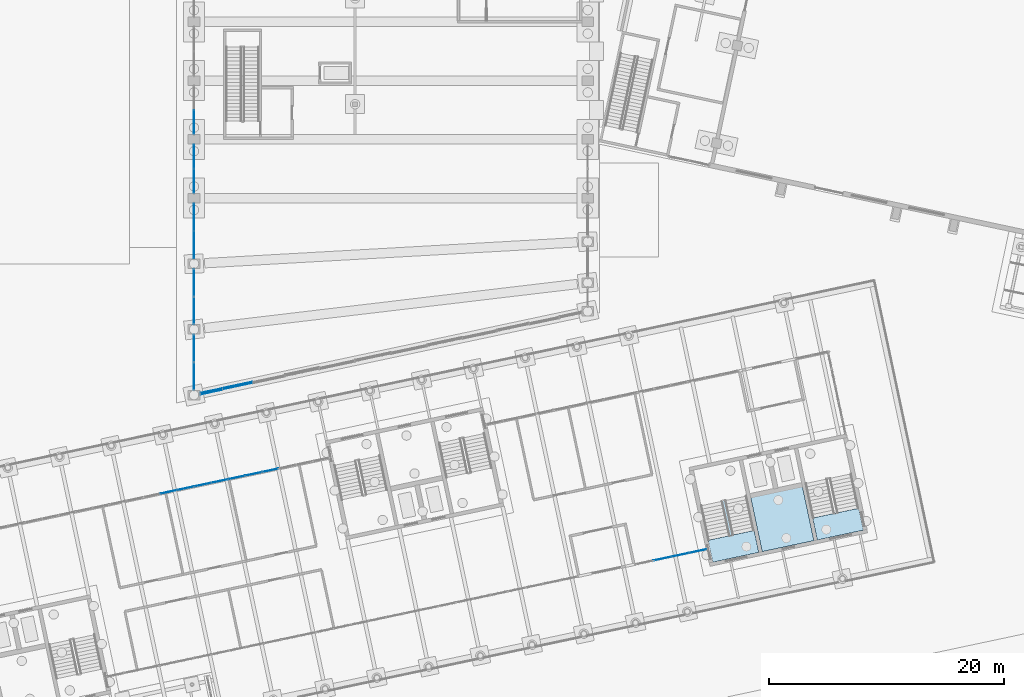
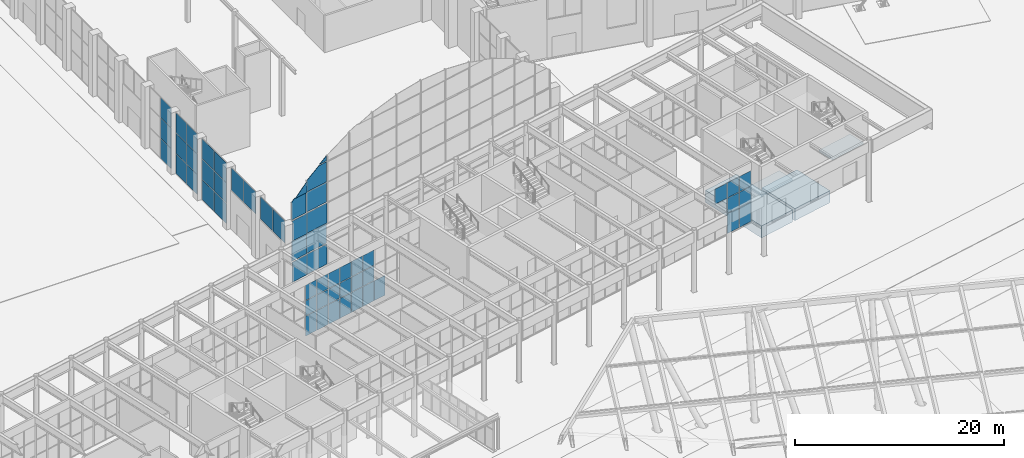
# One storey, part 151 of 239: 56 plates, 4 slabs, 10 elements without a shape of their own.
"""IFC4 building model written with IfcOpenShell, lengths in metres."""

from ifc_helpers import new_model, si_unit, direction, frame, origin, origin_2d, place, context, subcontext, project, spatial, polyline, rectangle, outline, extrude, material, layer, layer_set, type_object, element, aggregate, save


model = new_model("IFC4")

# Units and contexts
model_context = context("Model", 3, precision=1e-05, world=origin(), true_north=direction((0.0, 1.0)))
body_context = subcontext(model_context, "Body", "Model", "MODEL_VIEW")
ifc_project = project(units=[si_unit("LENGTHUNIT", "METRE"), si_unit("AREAUNIT", "SQUARE_METRE"), si_unit("VOLUMEUNIT", "CUBIC_METRE"), si_unit("PLANEANGLEUNIT", "RADIAN"), si_unit("MASSUNIT", "GRAM", prefix="KILO")], contexts=[model_context])

# Site, building, storey
site_placement = place(None, origin())
site = spatial("IfcSite", under=ifc_project, at=site_placement, CompositionType="ELEMENT")
building_placement = place(site_placement, origin())
building = spatial("IfcBuilding", under=site, at=building_placement, Name="Okhra Congress Centre", CompositionType="ELEMENT")
storey_placement = place(building_placement, origin())
storey = spatial("IfcBuildingStorey", under=building, at=storey_placement, Name="L00", CompositionType="ELEMENT", Elevation=0.0)

# Curtain wall, plates
ifc_material_1 = material(Name="Aluminium curtain wall, triple glazing", Category="aluminium")
curtain_wall_type_1 = type_object("IfcCurtainWallType", Name="Curtain wall 2100 module", PredefinedType="NOTDEFINED", material=ifc_material_1)
curtain_wall_1_placement = place(storey_placement, origin())
curtain_wall_1 = element("IfcCurtainWall", 1, at=curtain_wall_1_placement, inside=storey, type_object=curtain_wall_type_1, Name="West bay 1 glazing above the doors", PredefinedType="NOTDEFINED")
ifc_material_2 = material(Name="Triple glazing unit, low-e coating, argon fill", Category="glass")
ifc_layer_1 = layer(ifc_material_2, 0.028076171875)
ifc_layer_set_1 = layer_set([ifc_layer_1], Name="Curtain wall glazing unit 28")
plate_type_1 = type_object("IfcPlateType", Name="Curtain wall glazing unit 28", PredefinedType="CURTAIN_PANEL", material=ifc_layer_set_1)
plate_1_placement = place(storey_placement, frame((155.5, 75.858154296875, 4.56005859375), z_axis=(0.0, 0.0, 1.0), x_axis=(0.0, 1.0, 0.0)))
plate_1 = element("IfcPlate", 2, at=plate_1_placement, type_object=plate_type_1, Name="CW4 panel 1.1", PredefinedType="CURTAIN_PANEL", context=body_context, shape_type="SweptSolid", body=[
    extrude(rectangle(XDim=2.30224609375, YDim=0.028076171875, at=origin_2d()), origin(), (0.0, 0.0, 1.0), 2.580078125),
])
plate_2_placement = place(storey_placement, frame((155.5, 78.22021484375, 4.56005859375), z_axis=(0.0, 0.0, 1.0), x_axis=(0.0, 1.0, 0.0)))
plate_2 = element("IfcPlate", 3, at=plate_2_placement, type_object=plate_type_1, Name="CW4 panel 2.1", PredefinedType="CURTAIN_PANEL", context=body_context, shape_type="SweptSolid", body=[
    extrude(rectangle(XDim=2.30224609375, YDim=0.028076171875, at=origin_2d()), origin(), (0.0, 0.0, 1.0), 2.580078125),
])
aggregate(curtain_wall_1, [plate_1, plate_2])

curtain_wall_2_placement = place(storey_placement, origin())
curtain_wall_2 = element("IfcCurtainWall", 4, at=curtain_wall_2_placement, inside=storey, type_object=curtain_wall_type_1, Name="West bay 2 glazing above the doors", PredefinedType="NOTDEFINED")
plate_3_placement = place(storey_placement, frame((155.5, 81.4423828125, 4.56005859375), z_axis=(0.0, 0.0, 1.0), x_axis=(0.0, 1.0, 0.0)))
plate_3 = element("IfcPlate", 5, at=plate_3_placement, type_object=plate_type_1, Name="CW4 panel 1.1", PredefinedType="CURTAIN_PANEL", context=body_context, shape_type="SweptSolid", body=[
    extrude(rectangle(XDim=2.30224609375, YDim=0.028076171875, at=origin_2d()), origin(), (0.0, 0.0, 1.0), 2.580078125),
])
plate_4_placement = place(storey_placement, frame((155.5, 83.8046875, 4.56005859375), z_axis=(0.0, 0.0, 1.0), x_axis=(0.0, 1.0, 0.0)))
plate_4 = element("IfcPlate", 6, at=plate_4_placement, type_object=plate_type_1, Name="CW4 panel 2.1", PredefinedType="CURTAIN_PANEL", context=body_context, shape_type="SweptSolid", body=[
    extrude(rectangle(XDim=2.30224609375, YDim=0.028076171875, at=origin_2d()), origin(), (0.0, 0.0, 1.0), 2.580078125),
])
aggregate(curtain_wall_2, [plate_3, plate_4])

curtain_wall_3_placement = place(storey_placement, origin())
curtain_wall_3 = element("IfcCurtainWall", 7, at=curtain_wall_3_placement, inside=storey, type_object=curtain_wall_type_1, Name="West bay 3 glazing", PredefinedType="NOTDEFINED")
plate_5_placement = place(storey_placement, frame((155.5, 87.02685546875, 0.06005859375), z_axis=(0.0, 0.0, 1.0), x_axis=(0.0, 1.0, 0.0)))
plate_5 = element("IfcPlate", 8, at=plate_5_placement, type_object=plate_type_1, Name="CW4 panel 1.1", PredefinedType="CURTAIN_PANEL", context=body_context, shape_type="SweptSolid", body=[
    extrude(rectangle(XDim=2.30224609375, YDim=0.028076171875, at=origin_2d()), origin(), (0.0, 0.0, 1.0), 2.31005859375),
])
plate_6_placement = place(storey_placement, frame((155.5, 87.02685546875, 2.43017578125), z_axis=(0.0, 0.0, 1.0), x_axis=(0.0, 1.0, 0.0)))
plate_6 = element("IfcPlate", 9, at=plate_6_placement, type_object=plate_type_1, Name="CW4 panel 1.2", PredefinedType="CURTAIN_PANEL", context=body_context, shape_type="SweptSolid", body=[
    extrude(rectangle(XDim=2.30224609375, YDim=0.028076171875, at=origin_2d()), origin(), (0.0, 0.0, 1.0), 2.340087890625),
])
plate_7_placement = place(storey_placement, frame((155.5, 87.02685546875, 4.830078125), z_axis=(0.0, 0.0, 1.0), x_axis=(0.0, 1.0, 0.0)))
plate_7 = element("IfcPlate", 10, at=plate_7_placement, type_object=plate_type_1, Name="CW4 panel 1.3", PredefinedType="CURTAIN_PANEL", context=body_context, shape_type="SweptSolid", body=[
    extrude(rectangle(XDim=2.30224609375, YDim=0.028076171875, at=origin_2d()), origin(), (0.0, 0.0, 1.0), 2.31005859375),
])
plate_8_placement = place(storey_placement, frame((155.5, 89.388916015625, 0.06005859375), z_axis=(0.0, 0.0, 1.0), x_axis=(0.0, 1.0, 0.0)))
plate_8 = element("IfcPlate", 11, at=plate_8_placement, type_object=plate_type_1, Name="CW4 panel 2.1", PredefinedType="CURTAIN_PANEL", context=body_context, shape_type="SweptSolid", body=[
    extrude(rectangle(XDim=2.30224609375, YDim=0.028076171875, at=origin_2d()), origin(), (0.0, 0.0, 1.0), 2.31005859375),
])
plate_9_placement = place(storey_placement, frame((155.5, 89.388916015625, 2.43017578125), z_axis=(0.0, 0.0, 1.0), x_axis=(0.0, 1.0, 0.0)))
plate_9 = element("IfcPlate", 12, at=plate_9_placement, type_object=plate_type_1, Name="CW4 panel 2.2", PredefinedType="CURTAIN_PANEL", context=body_context, shape_type="SweptSolid", body=[
    extrude(rectangle(XDim=2.30224609375, YDim=0.028076171875, at=origin_2d()), origin(), (0.0, 0.0, 1.0), 2.340087890625),
])
plate_10_placement = place(storey_placement, frame((155.5, 89.388916015625, 4.830078125), z_axis=(0.0, 0.0, 1.0), x_axis=(0.0, 1.0, 0.0)))
plate_10 = element("IfcPlate", 13, at=plate_10_placement, type_object=plate_type_1, Name="CW4 panel 2.3", PredefinedType="CURTAIN_PANEL", context=body_context, shape_type="SweptSolid", body=[
    extrude(rectangle(XDim=2.30224609375, YDim=0.028076171875, at=origin_2d()), origin(), (0.0, 0.0, 1.0), 2.31005859375),
])
aggregate(curtain_wall_3, [plate_5, plate_6, plate_7, plate_8, plate_9, plate_10])

curtain_wall_4_placement = place(storey_placement, origin())
curtain_wall_4 = element("IfcCurtainWall", 14, at=curtain_wall_4_placement, inside=storey, type_object=curtain_wall_type_1, Name="West bay 4 glazing", PredefinedType="NOTDEFINED")
plate_11_placement = place(storey_placement, frame((155.5, 92.465087890625, 0.06005859375), z_axis=(0.0, 0.0, 1.0), x_axis=(0.0, 1.0, 0.0)))
plate_11 = element("IfcPlate", 15, at=plate_11_placement, type_object=plate_type_1, Name="CW4 panel 1.1", PredefinedType="CURTAIN_PANEL", context=body_context, shape_type="SweptSolid", body=[
    extrude(rectangle(XDim=2.010009765625, YDim=0.028076171875, at=origin_2d()), origin(), (0.0, 0.0, 1.0), 2.31005859375),
])
plate_12_placement = place(storey_placement, frame((155.5, 92.465087890625, 2.43017578125), z_axis=(0.0, 0.0, 1.0), x_axis=(0.0, 1.0, 0.0)))
plate_12 = element("IfcPlate", 16, at=plate_12_placement, type_object=plate_type_1, Name="CW4 panel 1.2", PredefinedType="CURTAIN_PANEL", context=body_context, shape_type="SweptSolid", body=[
    extrude(rectangle(XDim=2.010009765625, YDim=0.028076171875, at=origin_2d()), origin(), (0.0, 0.0, 1.0), 2.340087890625),
])
plate_13_placement = place(storey_placement, frame((155.5, 92.465087890625, 4.830078125), z_axis=(0.0, 0.0, 1.0), x_axis=(0.0, 1.0, 0.0)))
plate_13 = element("IfcPlate", 17, at=plate_13_placement, type_object=plate_type_1, Name="CW4 panel 1.3", PredefinedType="CURTAIN_PANEL", context=body_context, shape_type="SweptSolid", body=[
    extrude(rectangle(XDim=2.010009765625, YDim=0.028076171875, at=origin_2d()), origin(), (0.0, 0.0, 1.0), 2.31005859375),
])
plate_14_placement = place(storey_placement, frame((155.5, 94.534912109375, 0.06005859375), z_axis=(0.0, 0.0, 1.0), x_axis=(0.0, 1.0, 0.0)))
plate_14 = element("IfcPlate", 18, at=plate_14_placement, type_object=plate_type_1, Name="CW4 panel 2.1", PredefinedType="CURTAIN_PANEL", context=body_context, shape_type="SweptSolid", body=[
    extrude(rectangle(XDim=2.010009765625, YDim=0.028076171875, at=origin_2d()), origin(), (0.0, 0.0, 1.0), 2.31005859375),
])
plate_15_placement = place(storey_placement, frame((155.5, 94.534912109375, 2.43017578125), z_axis=(0.0, 0.0, 1.0), x_axis=(0.0, 1.0, 0.0)))
plate_15 = element("IfcPlate", 19, at=plate_15_placement, type_object=plate_type_1, Name="CW4 panel 2.2", PredefinedType="CURTAIN_PANEL", context=body_context, shape_type="SweptSolid", body=[
    extrude(rectangle(XDim=2.010009765625, YDim=0.028076171875, at=origin_2d()), origin(), (0.0, 0.0, 1.0), 2.340087890625),
])
plate_16_placement = place(storey_placement, frame((155.5, 94.534912109375, 4.830078125), z_axis=(0.0, 0.0, 1.0), x_axis=(0.0, 1.0, 0.0)))
plate_16 = element("IfcPlate", 20, at=plate_16_placement, type_object=plate_type_1, Name="CW4 panel 2.3", PredefinedType="CURTAIN_PANEL", context=body_context, shape_type="SweptSolid", body=[
    extrude(rectangle(XDim=2.010009765625, YDim=0.028076171875, at=origin_2d()), origin(), (0.0, 0.0, 1.0), 2.31005859375),
])
aggregate(curtain_wall_4, [plate_11, plate_12, plate_13, plate_14, plate_15, plate_16])

curtain_wall_5_placement = place(storey_placement, origin())
curtain_wall_5 = element("IfcCurtainWall", 21, at=curtain_wall_5_placement, inside=storey, type_object=curtain_wall_type_1, Name="West bay 5 glazing", PredefinedType="NOTDEFINED")
plate_17_placement = place(storey_placement, frame((155.5, 97.465087890625, 0.06005859375), z_axis=(0.0, 0.0, 1.0), x_axis=(0.0, 1.0, 0.0)))
plate_17 = element("IfcPlate", 22, at=plate_17_placement, type_object=plate_type_1, Name="CW4 panel 1.1", PredefinedType="CURTAIN_PANEL", context=body_context, shape_type="SweptSolid", body=[
    extrude(rectangle(XDim=2.010009765625, YDim=0.028076171875, at=origin_2d()), origin(), (0.0, 0.0, 1.0), 2.31005859375),
])
plate_18_placement = place(storey_placement, frame((155.5, 97.465087890625, 2.43017578125), z_axis=(0.0, 0.0, 1.0), x_axis=(0.0, 1.0, 0.0)))
plate_18 = element("IfcPlate", 23, at=plate_18_placement, type_object=plate_type_1, Name="CW4 panel 1.2", PredefinedType="CURTAIN_PANEL", context=body_context, shape_type="SweptSolid", body=[
    extrude(rectangle(XDim=2.010009765625, YDim=0.028076171875, at=origin_2d()), origin(), (0.0, 0.0, 1.0), 2.340087890625),
])
plate_19_placement = place(storey_placement, frame((155.5, 97.465087890625, 4.830078125), z_axis=(0.0, 0.0, 1.0), x_axis=(0.0, 1.0, 0.0)))
plate_19 = element("IfcPlate", 24, at=plate_19_placement, type_object=plate_type_1, Name="CW4 panel 1.3", PredefinedType="CURTAIN_PANEL", context=body_context, shape_type="SweptSolid", body=[
    extrude(rectangle(XDim=2.010009765625, YDim=0.028076171875, at=origin_2d()), origin(), (0.0, 0.0, 1.0), 2.31005859375),
])
aggregate(curtain_wall_5, [plate_17, plate_18, plate_19])

curtain_wall_type_2 = type_object("IfcCurtainWallType", Name="Curtain wall 1500 module", PredefinedType="NOTDEFINED", material=ifc_material_1)
curtain_wall_6_placement = place(storey_placement, origin())
curtain_wall_6 = element("IfcCurtainWall", 25, at=curtain_wall_6_placement, inside=storey, type_object=curtain_wall_type_2, Name="Ground curtain wall S5", PredefinedType="NOTDEFINED")
plate_20_placement = place(storey_placement, frame((195.325927734375, 60.322265625, 4.22998046875), z_axis=(0.0, 0.0, 1.0), x_axis=(0.978147600734, 0.207911690818, 0.0)))
plate_20 = element("IfcPlate", 26, at=plate_20_placement, type_object=plate_type_1, Name="CW7 panel 2.3", PredefinedType="CURTAIN_PANEL", context=body_context, shape_type="SweptSolid", body=[
    extrude(rectangle(XDim=1.5048828125, YDim=0.028076171875, at=origin_2d()), origin(), (0.0, 0.0, 1.0), 1.760009765625),
])
plate_21_placement = place(storey_placement, frame((196.856689453125, 60.647705078125, 0.06005859375), z_axis=(0.0, 0.0, 1.0), x_axis=(0.978147600734, 0.207911690818, 0.0)))
plate_21 = element("IfcPlate", 27, at=plate_21_placement, type_object=plate_type_1, Name="CW7 panel 3.1", PredefinedType="CURTAIN_PANEL", context=body_context, shape_type="SweptSolid", body=[
    extrude(rectangle(XDim=1.5048828125, YDim=0.028076171875, at=origin_2d()), origin(), (0.0, 0.0, 1.0), 2.31005859375),
])
plate_22_placement = place(storey_placement, frame((196.856689453125, 60.647705078125, 2.43017578125), z_axis=(0.0, 0.0, 1.0), x_axis=(0.978147600734, 0.207911690818, 0.0)))
plate_22 = element("IfcPlate", 28, at=plate_22_placement, type_object=plate_type_1, Name="CW7 panel 3.2", PredefinedType="CURTAIN_PANEL", context=body_context, shape_type="SweptSolid", body=[
    extrude(rectangle(XDim=1.5048828125, YDim=0.028076171875, at=origin_2d()), origin(), (0.0, 0.0, 1.0), 1.739990234375),
])
plate_23_placement = place(storey_placement, frame((196.856689453125, 60.647705078125, 4.22998046875), z_axis=(0.0, 0.0, 1.0), x_axis=(0.978147600734, 0.207911690818, 0.0)))
plate_23 = element("IfcPlate", 29, at=plate_23_placement, type_object=plate_type_1, Name="CW7 panel 3.3", PredefinedType="CURTAIN_PANEL", context=body_context, shape_type="SweptSolid", body=[
    extrude(rectangle(XDim=1.5048828125, YDim=0.028076171875, at=origin_2d()), origin(), (0.0, 0.0, 1.0), 1.760009765625),
])
plate_24_placement = place(storey_placement, frame((198.372802734375, 60.969970703125, 0.06005859375), z_axis=(0.0, 0.0, 1.0), x_axis=(0.978147600734, 0.207911690818, 0.0)))
plate_24 = element("IfcPlate", 30, at=plate_24_placement, type_object=plate_type_1, Name="CW7 panel 4.1", PredefinedType="CURTAIN_PANEL", context=body_context, shape_type="SweptSolid", body=[
    extrude(rectangle(XDim=1.47509765625, YDim=0.028076171875, at=origin_2d()), origin(), (0.0, 0.0, 1.0), 2.31005859375),
])
plate_25_placement = place(storey_placement, frame((198.372802734375, 60.969970703125, 2.43017578125), z_axis=(0.0, 0.0, 1.0), x_axis=(0.978147600734, 0.207911690818, 0.0)))
plate_25 = element("IfcPlate", 31, at=plate_25_placement, type_object=plate_type_1, Name="CW7 panel 4.2", PredefinedType="CURTAIN_PANEL", context=body_context, shape_type="SweptSolid", body=[
    extrude(rectangle(XDim=1.47509765625, YDim=0.028076171875, at=origin_2d()), origin(), (0.0, 0.0, 1.0), 1.739990234375),
])
plate_26_placement = place(storey_placement, frame((198.372802734375, 60.969970703125, 4.22998046875), z_axis=(0.0, 0.0, 1.0), x_axis=(0.978147600734, 0.207911690818, 0.0)))
plate_26 = element("IfcPlate", 32, at=plate_26_placement, type_object=plate_type_1, Name="CW7 panel 4.3", PredefinedType="CURTAIN_PANEL", context=body_context, shape_type="SweptSolid", body=[
    extrude(rectangle(XDim=1.47509765625, YDim=0.028076171875, at=origin_2d()), origin(), (0.0, 0.0, 1.0), 1.760009765625),
])
aggregate(curtain_wall_6, [plate_20, plate_21, plate_22, plate_23, plate_24, plate_25, plate_26])

curtain_wall_7_placement = place(storey_placement, origin())
curtain_wall_7 = element("IfcCurtainWall", 33, at=curtain_wall_7_placement, inside=storey, type_object=curtain_wall_type_2, Name="Ground curtain wall N9", PredefinedType="NOTDEFINED")
plate_27_placement = place(storey_placement, frame((153.34521484375, 66.00830078125, 0.06005859375), z_axis=(0.0, 0.0, 1.0), x_axis=(0.978147600734, 0.207911690818, 0.0)))
plate_27 = element("IfcPlate", 34, at=plate_27_placement, type_object=plate_type_1, Name="CW7 panel 11.1", PredefinedType="CURTAIN_PANEL", context=body_context, shape_type="SweptSolid", body=[
    extrude(rectangle(XDim=1.4130859375, YDim=0.028076171875, at=origin_2d()), origin(), (0.0, 0.0, 1.0), 2.31005859375),
])
plate_28_placement = place(storey_placement, frame((153.34521484375, 66.00830078125, 2.43017578125), z_axis=(0.0, 0.0, 1.0), x_axis=(0.978147600734, 0.207911690818, 0.0)))
plate_28 = element("IfcPlate", 35, at=plate_28_placement, type_object=plate_type_1, Name="CW7 panel 11.2", PredefinedType="CURTAIN_PANEL", context=body_context, shape_type="SweptSolid", body=[
    extrude(rectangle(XDim=1.4130859375, YDim=0.028076171875, at=origin_2d()), origin(), (0.0, 0.0, 1.0), 1.739990234375),
])
plate_29_placement = place(storey_placement, frame((153.34521484375, 66.00830078125, 4.22998046875), z_axis=(0.0, 0.0, 1.0), x_axis=(0.978147600734, 0.207911690818, 0.0)))
plate_29 = element("IfcPlate", 36, at=plate_29_placement, type_object=plate_type_1, Name="CW7 panel 11.3", PredefinedType="CURTAIN_PANEL", context=body_context, shape_type="SweptSolid", body=[
    extrude(rectangle(XDim=1.4130859375, YDim=0.028076171875, at=origin_2d()), origin(), (0.0, 0.0, 1.0), 1.760009765625),
])
plate_30_placement = place(storey_placement, frame((154.7861328125, 66.314453125, 0.06005859375), z_axis=(0.0, 0.0, 1.0), x_axis=(0.978147600734, 0.207911690818, 0.0)))
plate_30 = element("IfcPlate", 37, at=plate_30_placement, type_object=plate_type_1, Name="CW7 panel 12.1", PredefinedType="CURTAIN_PANEL", context=body_context, shape_type="SweptSolid", body=[
    extrude(rectangle(XDim=1.4130859375, YDim=0.028076171875, at=origin_2d()), origin(), (0.0, 0.0, 1.0), 2.31005859375),
])
plate_31_placement = place(storey_placement, frame((154.7861328125, 66.314453125, 2.43017578125), z_axis=(0.0, 0.0, 1.0), x_axis=(0.978147600734, 0.207911690818, 0.0)))
plate_31 = element("IfcPlate", 38, at=plate_31_placement, type_object=plate_type_1, Name="CW7 panel 12.2", PredefinedType="CURTAIN_PANEL", context=body_context, shape_type="SweptSolid", body=[
    extrude(rectangle(XDim=1.4130859375, YDim=0.028076171875, at=origin_2d()), origin(), (0.0, 0.0, 1.0), 1.739990234375),
])
plate_32_placement = place(storey_placement, frame((154.7861328125, 66.314453125, 4.22998046875), z_axis=(0.0, 0.0, 1.0), x_axis=(0.978147600734, 0.207911690818, 0.0)))
plate_32 = element("IfcPlate", 39, at=plate_32_placement, type_object=plate_type_1, Name="CW7 panel 12.3", PredefinedType="CURTAIN_PANEL", context=body_context, shape_type="SweptSolid", body=[
    extrude(rectangle(XDim=1.4130859375, YDim=0.028076171875, at=origin_2d()), origin(), (0.0, 0.0, 1.0), 1.760009765625),
])
plate_33_placement = place(storey_placement, frame((156.226806640625, 66.62060546875, 0.06005859375), z_axis=(0.0, 0.0, 1.0), x_axis=(0.978147600734, 0.207911690818, 0.0)))
plate_33 = element("IfcPlate", 40, at=plate_33_placement, type_object=plate_type_1, Name="CW7 panel 13.1", PredefinedType="CURTAIN_PANEL", context=body_context, shape_type="SweptSolid", body=[
    extrude(rectangle(XDim=1.4130859375, YDim=0.028076171875, at=origin_2d()), origin(), (0.0, 0.0, 1.0), 2.31005859375),
])
plate_34_placement = place(storey_placement, frame((156.226806640625, 66.62060546875, 2.43017578125), z_axis=(0.0, 0.0, 1.0), x_axis=(0.978147600734, 0.207911690818, 0.0)))
plate_34 = element("IfcPlate", 41, at=plate_34_placement, type_object=plate_type_1, Name="CW7 panel 13.2", PredefinedType="CURTAIN_PANEL", context=body_context, shape_type="SweptSolid", body=[
    extrude(rectangle(XDim=1.4130859375, YDim=0.028076171875, at=origin_2d()), origin(), (0.0, 0.0, 1.0), 1.739990234375),
])
plate_35_placement = place(storey_placement, frame((156.226806640625, 66.62060546875, 4.22998046875), z_axis=(0.0, 0.0, 1.0), x_axis=(0.978147600734, 0.207911690818, 0.0)))
plate_35 = element("IfcPlate", 42, at=plate_35_placement, type_object=plate_type_1, Name="CW7 panel 13.3", PredefinedType="CURTAIN_PANEL", context=body_context, shape_type="SweptSolid", body=[
    extrude(rectangle(XDim=1.4130859375, YDim=0.028076171875, at=origin_2d()), origin(), (0.0, 0.0, 1.0), 1.760009765625),
])
plate_36_placement = place(storey_placement, frame((157.667724609375, 66.927001953125, 0.06005859375), z_axis=(0.0, 0.0, 1.0), x_axis=(0.978147600734, 0.207911690818, 0.0)))
plate_36 = element("IfcPlate", 43, at=plate_36_placement, type_object=plate_type_1, Name="CW7 panel 14.1", PredefinedType="CURTAIN_PANEL", context=body_context, shape_type="SweptSolid", body=[
    extrude(rectangle(XDim=1.4130859375, YDim=0.028076171875, at=origin_2d()), origin(), (0.0, 0.0, 1.0), 2.31005859375),
])
plate_37_placement = place(storey_placement, frame((157.667724609375, 66.927001953125, 2.43017578125), z_axis=(0.0, 0.0, 1.0), x_axis=(0.978147600734, 0.207911690818, 0.0)))
plate_37 = element("IfcPlate", 44, at=plate_37_placement, type_object=plate_type_1, Name="CW7 panel 14.2", PredefinedType="CURTAIN_PANEL", context=body_context, shape_type="SweptSolid", body=[
    extrude(rectangle(XDim=1.4130859375, YDim=0.028076171875, at=origin_2d()), origin(), (0.0, 0.0, 1.0), 1.739990234375),
])
plate_38_placement = place(storey_placement, frame((157.667724609375, 66.927001953125, 4.22998046875), z_axis=(0.0, 0.0, 1.0), x_axis=(0.978147600734, 0.207911690818, 0.0)))
plate_38 = element("IfcPlate", 45, at=plate_38_placement, type_object=plate_type_1, Name="CW7 panel 14.3", PredefinedType="CURTAIN_PANEL", context=body_context, shape_type="SweptSolid", body=[
    extrude(rectangle(XDim=1.4130859375, YDim=0.028076171875, at=origin_2d()), origin(), (0.0, 0.0, 1.0), 1.760009765625),
])
plate_39_placement = place(storey_placement, frame((159.108642578125, 67.233154296875, 0.06005859375), z_axis=(0.0, 0.0, 1.0), x_axis=(0.978147600734, 0.207911690818, 0.0)))
plate_39 = element("IfcPlate", 46, at=plate_39_placement, type_object=plate_type_1, Name="CW7 panel 15.1", PredefinedType="CURTAIN_PANEL", context=body_context, shape_type="SweptSolid", body=[
    extrude(rectangle(XDim=1.4130859375, YDim=0.028076171875, at=origin_2d()), origin(), (0.0, 0.0, 1.0), 2.31005859375),
])
plate_40_placement = place(storey_placement, frame((159.108642578125, 67.233154296875, 2.43017578125), z_axis=(0.0, 0.0, 1.0), x_axis=(0.978147600734, 0.207911690818, 0.0)))
plate_40 = element("IfcPlate", 47, at=plate_40_placement, type_object=plate_type_1, Name="CW7 panel 15.2", PredefinedType="CURTAIN_PANEL", context=body_context, shape_type="SweptSolid", body=[
    extrude(rectangle(XDim=1.4130859375, YDim=0.028076171875, at=origin_2d()), origin(), (0.0, 0.0, 1.0), 1.739990234375),
])
plate_41_placement = place(storey_placement, frame((159.108642578125, 67.233154296875, 4.22998046875), z_axis=(0.0, 0.0, 1.0), x_axis=(0.978147600734, 0.207911690818, 0.0)))
plate_41 = element("IfcPlate", 48, at=plate_41_placement, type_object=plate_type_1, Name="CW7 panel 15.3", PredefinedType="CURTAIN_PANEL", context=body_context, shape_type="SweptSolid", body=[
    extrude(rectangle(XDim=1.4130859375, YDim=0.028076171875, at=origin_2d()), origin(), (0.0, 0.0, 1.0), 1.760009765625),
])
plate_42_placement = place(storey_placement, frame((160.54931640625, 67.53955078125, 0.06005859375), z_axis=(0.0, 0.0, 1.0), x_axis=(0.978147600734, 0.207911690818, 0.0)))
plate_42 = element("IfcPlate", 49, at=plate_42_placement, type_object=plate_type_1, Name="CW7 panel 16.1", PredefinedType="CURTAIN_PANEL", context=body_context, shape_type="SweptSolid", body=[
    extrude(rectangle(XDim=1.4130859375, YDim=0.028076171875, at=origin_2d()), origin(), (0.0, 0.0, 1.0), 2.31005859375),
])
plate_43_placement = place(storey_placement, frame((160.54931640625, 67.53955078125, 2.43017578125), z_axis=(0.0, 0.0, 1.0), x_axis=(0.978147600734, 0.207911690818, 0.0)))
plate_43 = element("IfcPlate", 50, at=plate_43_placement, type_object=plate_type_1, Name="CW7 panel 16.2", PredefinedType="CURTAIN_PANEL", context=body_context, shape_type="SweptSolid", body=[
    extrude(rectangle(XDim=1.4130859375, YDim=0.028076171875, at=origin_2d()), origin(), (0.0, 0.0, 1.0), 1.739990234375),
])
plate_44_placement = place(storey_placement, frame((160.54931640625, 67.53955078125, 4.22998046875), z_axis=(0.0, 0.0, 1.0), x_axis=(0.978147600734, 0.207911690818, 0.0)))
plate_44 = element("IfcPlate", 51, at=plate_44_placement, type_object=plate_type_1, Name="CW7 panel 16.3", PredefinedType="CURTAIN_PANEL", context=body_context, shape_type="SweptSolid", body=[
    extrude(rectangle(XDim=1.4130859375, YDim=0.028076171875, at=origin_2d()), origin(), (0.0, 0.0, 1.0), 1.760009765625),
])
plate_45_placement = place(storey_placement, frame((161.990234375, 67.845703125, 0.06005859375), z_axis=(0.0, 0.0, 1.0), x_axis=(0.978147600734, 0.207911690818, 0.0)))
plate_45 = element("IfcPlate", 52, at=plate_45_placement, type_object=plate_type_1, Name="CW7 panel 17.1", PredefinedType="CURTAIN_PANEL", context=body_context, shape_type="SweptSolid", body=[
    extrude(rectangle(XDim=1.4130859375, YDim=0.028076171875, at=origin_2d()), origin(), (0.0, 0.0, 1.0), 2.31005859375),
])
aggregate(curtain_wall_7, [plate_27, plate_28, plate_29, plate_30, plate_31, plate_32, plate_33, plate_34, plate_35, plate_36, plate_37, plate_38, plate_39, plate_40, plate_41, plate_42, plate_43, plate_44, plate_45])

# Slabs
ifc_material_3 = material(Name="Concrete C35/45", Category="concrete")
ifc_layer_2 = layer(ifc_material_3, 1.39990234375)
ifc_layer_set_2 = layer_set([ifc_layer_2], Name="RC core raft slab 1400 C35/45")
slab_type_1 = type_object("IfcSlabType", Name="RC core raft slab 1400 C35/45", PredefinedType="BASESLAB", material=ifc_layer_set_2)
slab_1_placement = place(storey_placement, frame((0.0, 0.0, -1.39990234375)))
element("IfcSlab", 53, at=slab_1_placement, inside=storey, type_object=slab_type_1, Name="Stair cell raft 5A", PredefinedType="BASESLAB", context=body_context, shape_type="SweptSolid", body=[
    extrude(outline(polyline([(203.545654296875, 60.863037109375), (201.88232421875, 68.688232421875), (197.9697265625, 67.8564453125), (199.633056640625, 60.03125), (203.545654296875, 60.863037109375)])), origin(), (0.0, 0.0, 1.0), 1.39990234375),
])
slab_2_placement = place(storey_placement, frame((0.0, 0.0, -1.39990234375)))
element("IfcSlab", 54, at=slab_2_placement, inside=storey, type_object=slab_type_1, Name="Riser room raft 5", PredefinedType="BASESLAB", context=body_context, shape_type="SweptSolid", body=[
    extrude(outline(polyline([(203.8388671875, 60.92529296875), (208.24072265625, 61.861083984375), (207.263427734375, 66.458251953125), (202.86181640625, 65.522705078125), (203.8388671875, 60.92529296875)])), origin(), (0.0, 0.0, 1.0), 1.39990234375),
])

# Stair, slab
ifc_material_4 = material(Name="Concrete C30/37", Category="concrete")
stair_type = type_object("IfcStairType", Name="Escape stair 1900 wide, 44 risers of 163.6", PredefinedType="HALF_TURN_STAIR", material=ifc_material_4)
stair_1_placement = place(storey_placement, origin())
stair_1 = element("IfcStair", 55, at=stair_1_placement, inside=storey, type_object=stair_type, Name="L00 Escape stair 5A", PredefinedType="HALF_TURN_STAIR")
ifc_layer_3 = layer(ifc_material_4, 0.199951171875)
ifc_layer_set_3 = layer_set([ifc_layer_3], Name="RC stair landing 200 C30/37")
slab_type_2 = type_object("IfcSlabType", Name="RC stair landing 200 C30/37", PredefinedType="LANDING", material=ifc_layer_set_3)
slab_3_placement = place(storey_placement, frame((0.0, 0.0, 3.39990234375)))
slab_3 = element("IfcSlab", 56, at=slab_3_placement, type_object=slab_type_2, Name="BS5A landing 2", PredefinedType="LANDING", context=body_context, shape_type="SweptSolid", body=[
    extrude(outline(polyline([(203.551513671875, 60.859130859375), (199.629150390625, 60.025390625), (199.23193359375, 61.893798828125), (203.154296875, 62.727294921875), (203.551513671875, 60.859130859375)])), origin(), (0.0, 0.0, 1.0), 0.2001953125),
])
aggregate(stair_1, [slab_3])

stair_2_placement = place(storey_placement, origin())
stair_2 = element("IfcStair", 57, at=stair_2_placement, inside=storey, type_object=stair_type, Name="L00 Escape stair 5B", PredefinedType="HALF_TURN_STAIR")
slab_4_placement = place(storey_placement, frame((0.0, 0.0, 3.39990234375)))
slab_4 = element("IfcSlab", 58, at=slab_4_placement, type_object=slab_type_2, Name="BS5B landing 2", PredefinedType="LANDING", context=body_context, shape_type="SweptSolid", body=[
    extrude(outline(polyline([(212.45263671875, 62.751220703125), (208.5302734375, 61.91748046875), (208.133056640625, 63.78564453125), (212.055419921875, 64.619384765625), (212.45263671875, 62.751220703125)])), origin(), (0.0, 0.0, 1.0), 0.2001953125),
])
aggregate(stair_2, [slab_4])

# Curtain wall, plates
ifc_material_5 = material(Name="Aluminium frame with triple glazing", Category="aluminium")
curtain_wall_type_3 = type_object("IfcCurtainWallType", Name="Glazed gable curtain wall", PredefinedType="NOTDEFINED", material=ifc_material_5)
curtain_wall_8_placement = place(storey_placement, origin())
curtain_wall_8 = element("IfcCurtainWall", 59, at=curtain_wall_8_placement, inside=storey, type_object=curtain_wall_type_3, Name="South gable glazing", PredefinedType="NOTDEFINED")
ifc_material_6 = material(Name="Toughened triple glazed unit")
ifc_layer_4 = layer(ifc_material_6, 0.028076171875)
ifc_layer_set_4 = layer_set([ifc_layer_4], Name="Triple glazed unit 28 mm")
plate_type_2 = type_object("IfcPlateType", Name="Triple glazed unit 28 mm", PredefinedType="CURTAIN_PANEL", material=ifc_layer_set_4)
plate_46_placement = place(storey_placement, frame((157.89111328125, 74.706298828125, 0.030029296875), z_axis=(-0.207889952078, 0.978152221193, 0.0), x_axis=(-0.978152221193, -0.207889952078, 0.0)))
plate_46 = element("IfcPlate", 60, at=plate_46_placement, type_object=plate_type_2, Name="South gable glazing glass panel 1.1", PredefinedType="CURTAIN_PANEL", context=body_context, shape_type="SweptSolid", body=[
    extrude(outline(polyline([(0.0, 0.0), (1.8719526959376531, 0.0), (1.8719526959376531, 2.340087890625), (0.0, 2.340087890625), (0.0, 0.0)])), origin(), (0.0, 0.0, -1.0), 0.028076171875),
])
plate_47_placement = place(storey_placement, frame((157.89111328125, 74.790283203125, 2.429931640625), z_axis=(-0.207889952078, 0.978152221193, 0.0), x_axis=(-0.978152221193, -0.207889952078, 0.0)))
plate_47 = element("IfcPlate", 61, at=plate_47_placement, type_object=plate_type_2, Name="South gable glazing glass panel 1.2", PredefinedType="CURTAIN_PANEL", context=body_context, shape_type="SweptSolid", body=[
    extrude(outline(polyline([(0.0, 0.0), (1.8719526959376531, 0.0), (1.8719526959376531, 2.340087890625), (0.0, 2.340087890625), (0.0, 0.0)])), origin(), (0.0, 0.0, -1.0), 0.028076171875),
])
plate_48_placement = place(storey_placement, frame((157.89111328125, 74.706298828125, 4.830078125), z_axis=(-0.207889952078, 0.978152221193, 0.0), x_axis=(-0.978152221193, -0.207889952078, 0.0)))
plate_48 = element("IfcPlate", 62, at=plate_48_placement, type_object=plate_type_2, Name="South gable glazing glass panel 1.3", PredefinedType="CURTAIN_PANEL", context=body_context, shape_type="SweptSolid", body=[
    extrude(outline(polyline([(0.0, 0.0), (1.8719526959376531, 0.0), (1.8719526959376531, 2.33984375), (0.0, 2.33984375), (0.0, 0.0)])), origin(), (0.0, 0.0, -1.0), 0.028076171875),
])
plate_49_placement = place(storey_placement, frame((157.89111328125, 74.790283203125, 7.22998046875), z_axis=(0.207887861826, -0.978152665341, 1.3826887e-05), x_axis=(-0.978152665435, -0.207887861846, -3e-11)))
plate_49 = element("IfcPlate", 63, at=plate_49_placement, type_object=plate_type_2, Name="South gable glazing glass panel 1.4", PredefinedType="CURTAIN_PANEL", context=body_context, shape_type="SweptSolid", body=[
    extrude(outline(polyline([(0.0, 0.0), (1.871952695933379, 0.0), (1.8719526958727848, -2.050781249803963), (1.5387315139502595, -2.340087891286231), (-6.914241029677412e-11, -2.340087890401308), (0.0, 0.0)])), origin(), (0.0, 0.0, -1.0), 0.028076171875),
])
plate_50_placement = place(storey_placement, frame((157.89111328125, 74.706298828125, 9.6298828125), z_axis=(-0.207826965503, 0.97816560582, 0.0), x_axis=(-0.97816560582, -0.207826965503, 0.0)))
plate_50 = element("IfcPlate", 64, at=plate_50_placement, type_object=plate_type_2, Name="South gable glazing glass panel 1.5", PredefinedType="CURTAIN_PANEL", context=body_context, shape_type="SweptSolid", body=[
    extrude(outline(polyline([(0.0, 0.0), (1.469587553934141, 0.0), (0.0, 1.275390625), (0.0, 0.0)])), origin(), (0.0, 0.0, -1.0), 0.028076171875),
])
plate_51_placement = place(storey_placement, frame((160.44580078125, 75.29150390625, 0.030029296875), z_axis=(-0.207901112851, 0.97814984909, 0.0), x_axis=(-0.97814984909, -0.207901112851, 0.0)))
plate_51 = element("IfcPlate", 65, at=plate_51_placement, type_object=plate_type_2, Name="South gable glazing glass panel 2.1", PredefinedType="CURTAIN_PANEL", context=body_context, shape_type="SweptSolid", body=[
    extrude(outline(polyline([(0.0, 0.0), (2.550604132071736, 0.0), (2.550604132071736, 2.340087890625), (0.0, 2.340087890625), (0.0, 0.0)])), origin(), (0.0, 0.0, -1.0), 0.028076171875),
])
plate_52_placement = place(storey_placement, frame((160.44580078125, 75.37548828125, 2.429931640625), z_axis=(-0.207901112851, 0.97814984909, 0.0), x_axis=(-0.97814984909, -0.207901112851, 0.0)))
plate_52 = element("IfcPlate", 66, at=plate_52_placement, type_object=plate_type_2, Name="South gable glazing glass panel 2.2", PredefinedType="CURTAIN_PANEL", context=body_context, shape_type="SweptSolid", body=[
    extrude(outline(polyline([(0.0, 0.0), (2.550604132071736, 0.0), (2.550604132071736, 2.340087890625), (0.0, 2.340087890625), (0.0, 0.0)])), origin(), (0.0, 0.0, -1.0), 0.028076171875),
])
plate_53_placement = place(storey_placement, frame((160.44580078125, 75.29150390625, 4.830078125), z_axis=(-0.207901112851, 0.97814984909, 0.0), x_axis=(-0.97814984909, -0.207901112851, 0.0)))
plate_53 = element("IfcPlate", 67, at=plate_53_placement, type_object=plate_type_2, Name="South gable glazing glass panel 2.3", PredefinedType="CURTAIN_PANEL", context=body_context, shape_type="SweptSolid", body=[
    extrude(outline(polyline([(0.0, 0.0), (2.550604132071736, 0.0), (2.550604132071736, 2.3398437500000004), (0.0, 2.3398437500000004), (0.0, 0.0)])), origin(), (0.0, 0.0, -1.0), 0.028076171875),
])
plate_54_placement = place(storey_placement, frame((160.44580078125, 75.37548828125, 7.22998046875), z_axis=(-0.207901112851, 0.97814984909, 0.0), x_axis=(-0.97814984909, -0.207901112851, 0.0)))
plate_54 = element("IfcPlate", 68, at=plate_54_placement, type_object=plate_type_2, Name="South gable glazing glass panel 2.4", PredefinedType="CURTAIN_PANEL", context=body_context, shape_type="SweptSolid", body=[
    extrude(outline(polyline([(0.0, 0.0), (2.550604132071736, 0.0), (2.550604132071736, 2.340087890625), (0.0, 2.340087890625), (0.0, 0.0)])), origin(), (0.0, 0.0, -1.0), 0.028076171875),
])
plate_55_placement = place(storey_placement, frame((160.44580078125, 75.29150390625, 9.6298828125), z_axis=(0.207893763974, -0.978151410849, 1.8827133e-05), x_axis=(-0.978151411023, -0.20789376401, -1.41e-10)))
plate_55 = element("IfcPlate", 69, at=plate_55_placement, type_object=plate_type_2, Name="South gable glazing glass panel 2.5", PredefinedType="CURTAIN_PANEL", context=body_context, shape_type="SweptSolid", body=[
    extrude(outline(polyline([(0.0, 0.0), (2.5506041319997514, 1.6940658945086007e-21), (2.5506041318127193, -1.3222656247656541), (1.0090934806381104, -2.340087891651161), (-3.3100110962818167e-10, -2.340087890210265), (0.0, 0.0)])), origin(), (0.0, 0.0, -1.0), 0.028076171875),
])
plate_56_placement = place(storey_placement, frame((160.44580078125, 75.37548828125, 12.030029296875), z_axis=(-0.207912812537, 0.978147362304, 0.0), x_axis=(-0.978147362304, -0.207912812537, 0.0)))
plate_56 = element("IfcPlate", 70, at=plate_56_placement, type_object=plate_type_2, Name="South gable glazing glass panel 2.6", PredefinedType="CURTAIN_PANEL", context=body_context, shape_type="SweptSolid", body=[
    extrude(outline(polyline([(0.0, 0.0), (0.9182597571586015, 0.0), (0.0, 0.6064453124999999), (0.0, 0.0)])), origin(), (0.0, 0.0, -1.0), 0.028076171875),
])
aggregate(curtain_wall_8, [plate_46, plate_47, plate_48, plate_49, plate_50, plate_51, plate_52, plate_53, plate_54, plate_55, plate_56])

save(model, "model.ifc")
